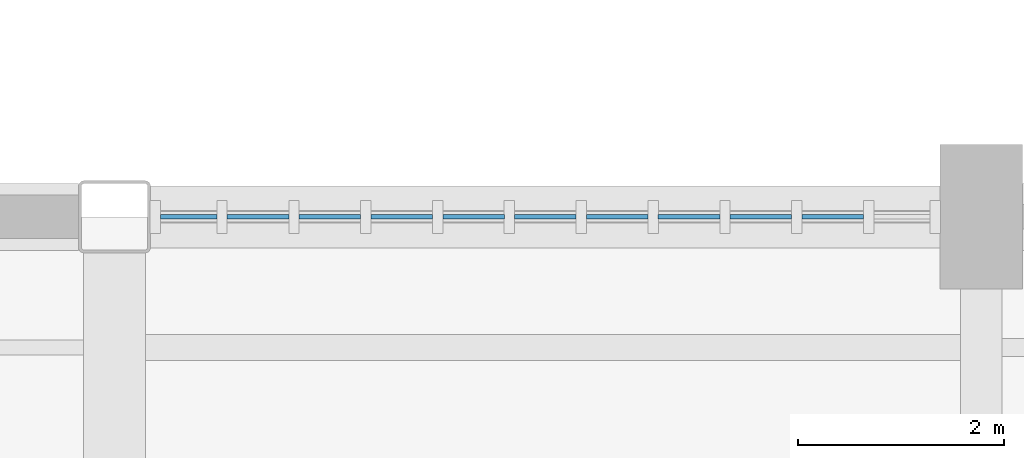
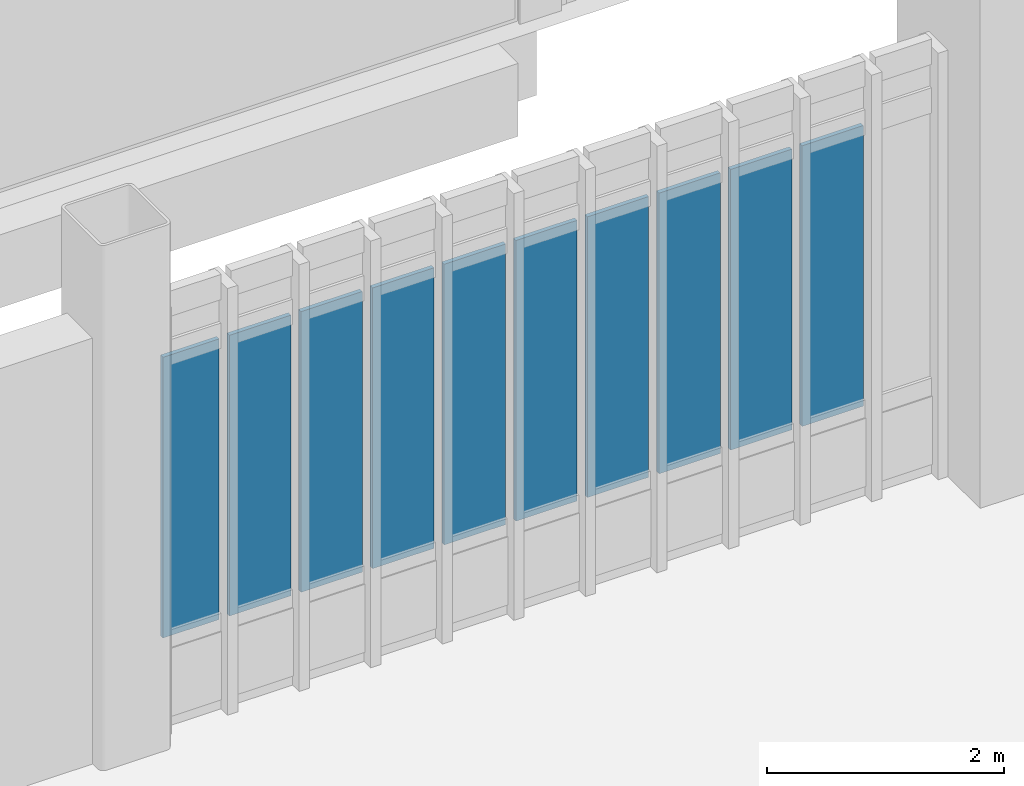
# One storey, part 54 of 111: 10 plates, 1 element without a shape of its own.
"""IFC4 building model written with IfcOpenShell, lengths in metres."""

from ifc_helpers import new_model, si_unit, direction, frame, origin, origin_2d, place, context, subcontext, project, spatial, rectangle, extrude, material, layer, layer_set, type_object, element, aggregate, save


model = new_model("IFC4")

# Units and contexts
model_context = context("Model", 3, precision=1e-05, world=origin(), true_north=direction((0.0, 1.0)))
body_context = subcontext(model_context, "Body", "Model", "MODEL_VIEW")
ifc_project = project(units=[si_unit("LENGTHUNIT", "METRE"), si_unit("AREAUNIT", "SQUARE_METRE"), si_unit("VOLUMEUNIT", "CUBIC_METRE"), si_unit("PLANEANGLEUNIT", "RADIAN"), si_unit("MASSUNIT", "GRAM", prefix="KILO")], contexts=[model_context])

# Site, building, storey
site_placement = place(None, origin())
site = spatial("IfcSite", under=ifc_project, at=site_placement, CompositionType="ELEMENT")
building_placement = place(site_placement, origin())
building = spatial("IfcBuilding", under=site, at=building_placement, Name="Larkvane Passage Sports Hall", CompositionType="ELEMENT")
storey_placement = place(building_placement, origin())
storey = spatial("IfcBuildingStorey", under=building, at=storey_placement, Name="L00", CompositionType="ELEMENT", Elevation=0.0)

# Curtain wall, plates
ifc_material_1 = material(Name="Thermally broken aluminium and low-E glazing", Category="aluminium")
curtain_wall_type = type_object("IfcCurtainWallType", Name="CW-CLINIC", PredefinedType="USERDEFINED", material=ifc_material_1)
curtain_wall_placement = place(storey_placement, origin())
curtain_wall = element("IfcCurtainWall", 1, at=curtain_wall_placement, inside=storey, type_object=curtain_wall_type, Name="Curtain wall CW5-L00-027", ObjectType="UNITISED CURTAIN WALL", PredefinedType="USERDEFINED")
ifc_material_2 = material(Name="Triple-laminated typhoon glazing", Category="glass")
ifc_layer = layer(ifc_material_2, 0.0419921875)
ifc_layer_set = layer_set([ifc_layer], Name="Triple-laminated typhoon glazing")
plate_type = type_object("IfcPlateType", Name="CWP-VIS-42", PredefinedType="CURTAIN_PANEL", material=ifc_layer_set)
plate_1_placement = place(storey_placement, frame((69.119140625, 15.199951171875, 0.89990234375), z_axis=(0.0, 0.0, 1.0), x_axis=(1.0, 0.0, 0.0)))
plate_1 = element("IfcPlate", 2, at=plate_1_placement, type_object=plate_type, Name="CW-05 panel 1.2", PredefinedType="CURTAIN_PANEL", context=body_context, shape_type="SweptSolid", body=[
    extrude(rectangle(XDim=0.546142578125, YDim=0.0419921875, at=origin_2d()), origin(), (0.0, 0.0, 1.0), 2.885986328125),
])
plate_2_placement = place(storey_placement, frame((69.790283203125, 15.199951171875, 0.89990234375), z_axis=(0.0, 0.0, 1.0), x_axis=(1.0, 0.0, 0.0)))
plate_2 = element("IfcPlate", 3, at=plate_2_placement, type_object=plate_type, Name="CW-05 panel 2.2", PredefinedType="CURTAIN_PANEL", context=body_context, shape_type="SweptSolid", body=[
    extrude(rectangle(XDim=0.59619140625, YDim=0.0419921875, at=origin_2d()), origin(), (0.0, 0.0, 1.0), 2.885986328125),
])
plate_3_placement = place(storey_placement, frame((70.486572265625, 15.199951171875, 0.89990234375), z_axis=(0.0, 0.0, 1.0), x_axis=(1.0, 0.0, 0.0)))
plate_3 = element("IfcPlate", 4, at=plate_3_placement, type_object=plate_type, Name="CW-05 panel 3.2", PredefinedType="CURTAIN_PANEL", context=body_context, shape_type="SweptSolid", body=[
    extrude(rectangle(XDim=0.59619140625, YDim=0.0419921875, at=origin_2d()), origin(), (0.0, 0.0, 1.0), 2.885986328125),
])
plate_4_placement = place(storey_placement, frame((71.1826171875, 15.199951171875, 0.89990234375), z_axis=(0.0, 0.0, 1.0), x_axis=(1.0, 0.0, 0.0)))
plate_4 = element("IfcPlate", 5, at=plate_4_placement, type_object=plate_type, Name="CW-05 panel 4.2", PredefinedType="CURTAIN_PANEL", context=body_context, shape_type="SweptSolid", body=[
    extrude(rectangle(XDim=0.59619140625, YDim=0.0419921875, at=origin_2d()), origin(), (0.0, 0.0, 1.0), 2.885986328125),
])
plate_5_placement = place(storey_placement, frame((71.87890625, 15.199951171875, 0.89990234375), z_axis=(0.0, 0.0, 1.0), x_axis=(1.0, 0.0, 0.0)))
plate_5 = element("IfcPlate", 6, at=plate_5_placement, type_object=plate_type, Name="CW-05 panel 5.2", PredefinedType="CURTAIN_PANEL", context=body_context, shape_type="SweptSolid", body=[
    extrude(rectangle(XDim=0.59619140625, YDim=0.0419921875, at=origin_2d()), origin(), (0.0, 0.0, 1.0), 2.885986328125),
])
plate_6_placement = place(storey_placement, frame((72.574951171875, 15.199951171875, 0.89990234375), z_axis=(0.0, 0.0, 1.0), x_axis=(1.0, 0.0, 0.0)))
plate_6 = element("IfcPlate", 7, at=plate_6_placement, type_object=plate_type, Name="CW-05 panel 6.2", PredefinedType="CURTAIN_PANEL", context=body_context, shape_type="SweptSolid", body=[
    extrude(rectangle(XDim=0.59619140625, YDim=0.0419921875, at=origin_2d()), origin(), (0.0, 0.0, 1.0), 2.885986328125),
])
plate_7_placement = place(storey_placement, frame((73.271240234375, 15.199951171875, 0.89990234375), z_axis=(0.0, 0.0, 1.0), x_axis=(1.0, 0.0, 0.0)))
plate_7 = element("IfcPlate", 8, at=plate_7_placement, type_object=plate_type, Name="CW-05 panel 7.2", PredefinedType="CURTAIN_PANEL", context=body_context, shape_type="SweptSolid", body=[
    extrude(rectangle(XDim=0.59619140625, YDim=0.0419921875, at=origin_2d()), origin(), (0.0, 0.0, 1.0), 2.885986328125),
])
plate_8_placement = place(storey_placement, frame((73.96728515625, 15.199951171875, 0.89990234375), z_axis=(0.0, 0.0, 1.0), x_axis=(1.0, 0.0, 0.0)))
plate_8 = element("IfcPlate", 9, at=plate_8_placement, type_object=plate_type, Name="CW-05 panel 8.2", PredefinedType="CURTAIN_PANEL", context=body_context, shape_type="SweptSolid", body=[
    extrude(rectangle(XDim=0.59619140625, YDim=0.0419921875, at=origin_2d()), origin(), (0.0, 0.0, 1.0), 2.885986328125),
])
plate_9_placement = place(storey_placement, frame((74.66357421875, 15.199951171875, 0.89990234375), z_axis=(0.0, 0.0, 1.0), x_axis=(1.0, 0.0, 0.0)))
plate_9 = element("IfcPlate", 10, at=plate_9_placement, type_object=plate_type, Name="CW-05 panel 9.2", PredefinedType="CURTAIN_PANEL", context=body_context, shape_type="SweptSolid", body=[
    extrude(rectangle(XDim=0.59619140625, YDim=0.0419921875, at=origin_2d()), origin(), (0.0, 0.0, 1.0), 2.885986328125),
])
plate_10_placement = place(storey_placement, frame((75.359619140625, 15.199951171875, 0.89990234375), z_axis=(0.0, 0.0, 1.0), x_axis=(1.0, 0.0, 0.0)))
plate_10 = element("IfcPlate", 11, at=plate_10_placement, type_object=plate_type, Name="CW-05 panel 10.2", PredefinedType="CURTAIN_PANEL", context=body_context, shape_type="SweptSolid", body=[
    extrude(rectangle(XDim=0.59619140625, YDim=0.0419921875, at=origin_2d()), origin(), (0.0, 0.0, 1.0), 2.885986328125),
])
aggregate(curtain_wall, [plate_1, plate_2, plate_3, plate_4, plate_5, plate_6, plate_7, plate_8, plate_9, plate_10])

save(model, "model.ifc")
